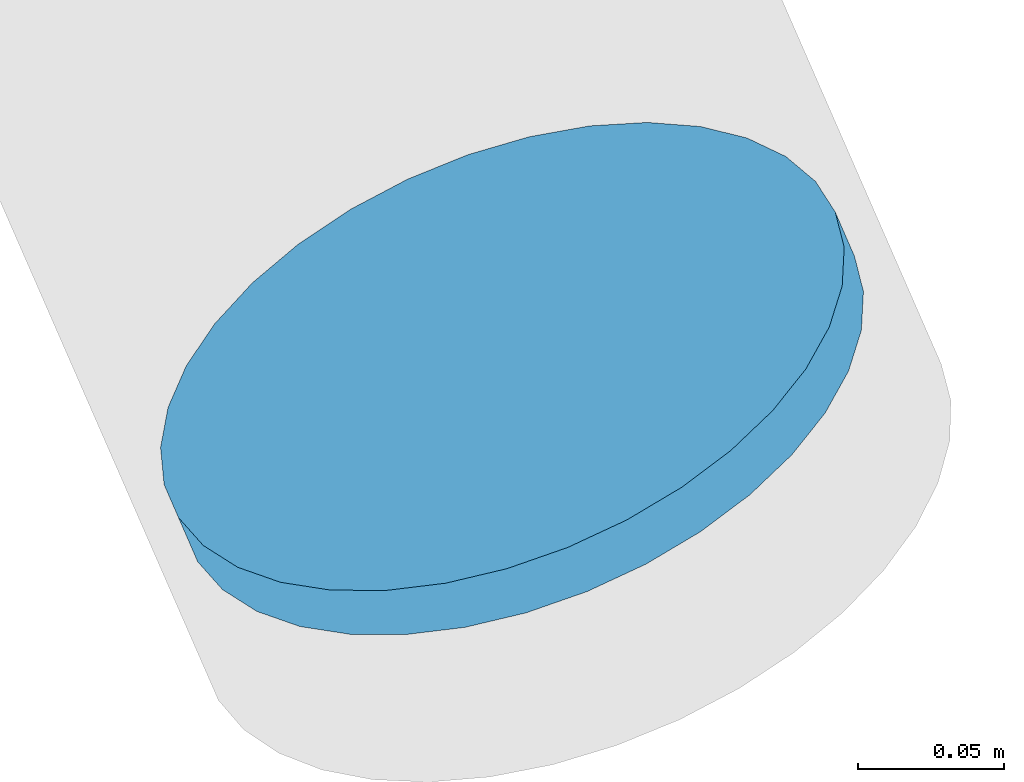
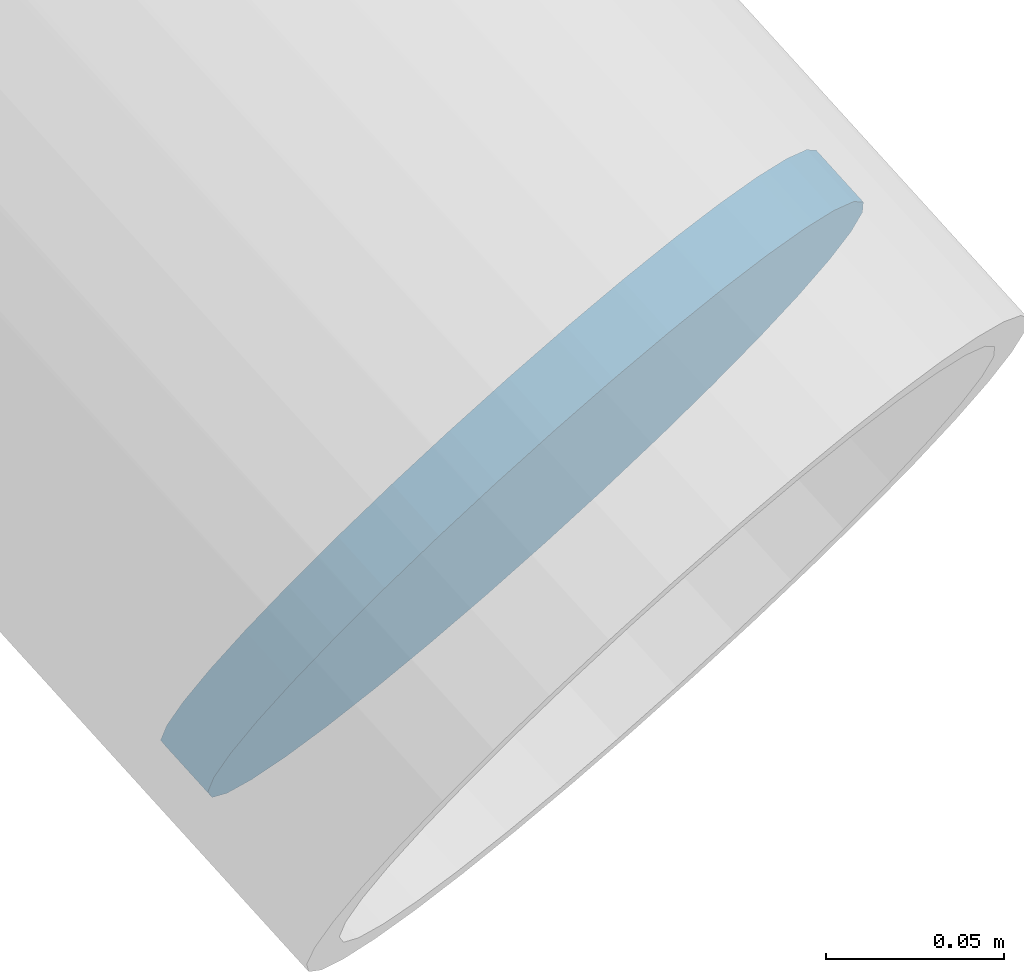
# One storey, part 31 of 38: 1 discrete accessory.
"""IFC4 building model written with IfcOpenShell, lengths in metres."""

from ifc_helpers import new_model, si_unit, direction, frame, origin, origin_2d, place, context, subcontext, project, spatial, circle, extrude, material, material_profile, profile_set, type_object, element, save


model = new_model("IFC4")

# Units and contexts
model_context = context("Model", 3, precision=1e-05, world=origin(), true_north=direction((0.0, 1.0)))
body_context = subcontext(model_context, "Body", "Model", "MODEL_VIEW")
ifc_project = project(units=[si_unit("LENGTHUNIT", "METRE"), si_unit("AREAUNIT", "SQUARE_METRE"), si_unit("VOLUMEUNIT", "CUBIC_METRE"), si_unit("PLANEANGLEUNIT", "RADIAN"), si_unit("MASSUNIT", "GRAM", prefix="KILO")], contexts=[model_context])

# Site, building, storey
site_placement = place(None, origin())
site = spatial("IfcSite", under=ifc_project, at=site_placement, CompositionType="ELEMENT")
building_placement = place(site_placement, origin())
building = spatial("IfcBuilding", under=site, at=building_placement, Name="Rimbun Link Towers", CompositionType="ELEMENT")
storey_placement = place(building_placement, frame((0.0, 0.0, 133.199951171875)))
storey = spatial("IfcBuildingStorey", under=building, at=storey_placement, Name="L32", CompositionType="ELEMENT", Elevation=133.199951171875)

# Discrete accessory
ifc_material = material(Name="Steel S355J2H", Category="steel")
ifc_material_profile = material_profile(ifc_material, circle(Radius=0.1240234375, at=origin_2d()), Name="PL D248")
ifc_profile_set = profile_set([ifc_material_profile], Name="Steel S355J2H")
discrete_accessory_type = type_object("IfcDiscreteAccessoryType", Name="Link foot sealing plate D248X20", PredefinedType="BRACKET", material=ifc_profile_set)
discrete_accessory_placement = place(storey_placement, frame((46.85302734375, -16.327392578125, -2.329345703125), z_axis=(0.332397392701, -0.763282901759, -0.553995654502), x_axis=(0.916834798939, 0.39926676728, 0.0)))
element("IfcDiscreteAccessory", 1, at=discrete_accessory_placement, inside=storey, type_object=discrete_accessory_type, Name="Link foot sealing plate T2 L32 18", PredefinedType="BRACKET", context=body_context, shape_type="SweptSolid", body=[
    extrude(circle(Radius=0.1240234375, at=origin_2d()), origin(), (0.0, 0.0, 1.0), 0.019775390625),
])

save(model, "model.ifc")
